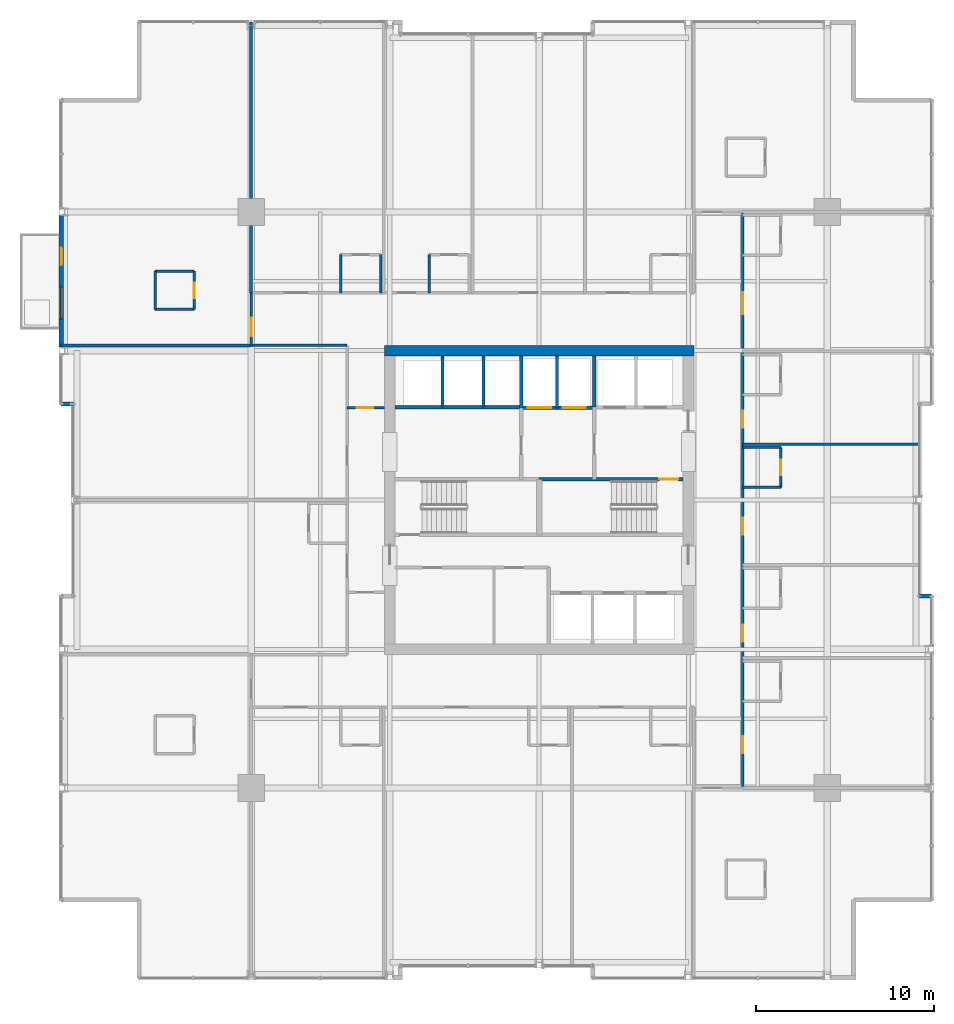
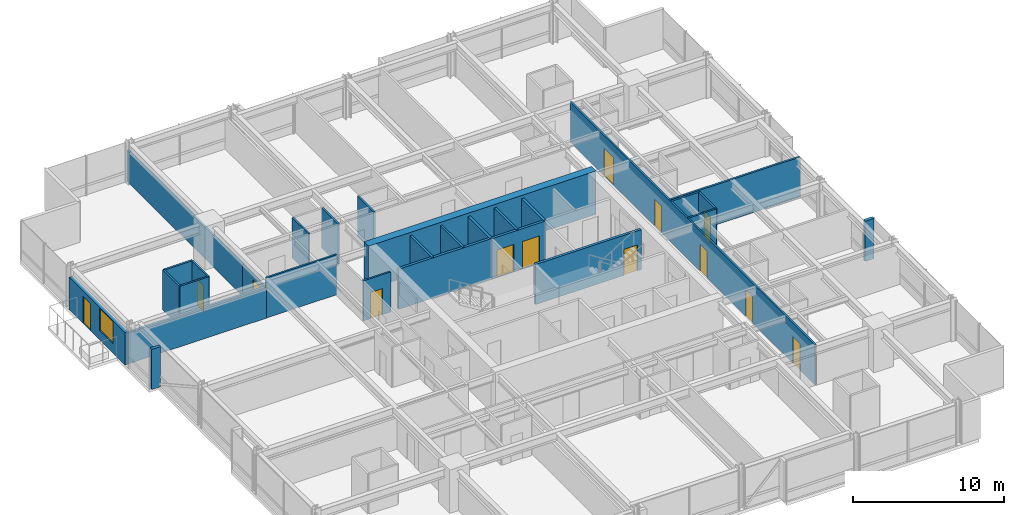
# One storey, part 30 of 35: 29 walls, 13 doors, 1 window, 14 openings.
"""IFC4 building model written with IfcOpenShell, lengths in metres."""

from ifc_helpers import new_model, si_unit, direction, frame, frame_2d, origin, place, context, subcontext, project, spatial, rectangle, extrude, material, layer, layer_set, type_object, element, fill, save


model = new_model("IFC4")

# Units and contexts
model_context = context("Model", 3, precision=1e-05, world=origin(), true_north=direction((0.0, 1.0)))
body_context = subcontext(model_context, "Body", "Model", "MODEL_VIEW")
ifc_project = project(units=[si_unit("LENGTHUNIT", "METRE"), si_unit("AREAUNIT", "SQUARE_METRE"), si_unit("VOLUMEUNIT", "CUBIC_METRE"), si_unit("PLANEANGLEUNIT", "RADIAN"), si_unit("MASSUNIT", "GRAM", prefix="KILO")], contexts=[model_context])

# Site, building, storey
site_placement = place(None, origin())
site = spatial("IfcSite", under=ifc_project, at=site_placement, CompositionType="ELEMENT")
building_placement = place(site_placement, origin())
building = spatial("IfcBuilding", under=site, at=building_placement, Name="Drelvath Grand Hotel", CompositionType="ELEMENT")
storey_placement = place(building_placement, frame((0.0, 0.0, 123.300048828125)))
storey = spatial("IfcBuildingStorey", under=building, at=storey_placement, Name="L31", CompositionType="ELEMENT", Elevation=123.300048828125)

# Wall
ifc_material_1 = material(Name="Concrete C40/50", Category="concrete")
ifc_layer_1 = layer(ifc_material_1, 0.199951171875)
ifc_layer_set_1 = layer_set([ifc_layer_1], Name="Concrete C40/50")
wall_type_1 = type_object("IfcWallType", Name="Core Hoistway Fire Wall 200", PredefinedType="SOLIDWALL", material=ifc_layer_set_1)
wall_1_placement = place(storey_placement, frame((3.10009765625, 32.219970703125, 0.0), z_axis=(0.0, 0.0, 1.0), x_axis=(0.0, 1.0, 0.0)))
element("IfcWall", 1, at=wall_1_placement, inside=storey, type_object=wall_type_1, Name="L31 FSAE Hoistway West Wall", PredefinedType="SOLIDWALL", context=body_context, shape_type="SweptSolid", body=[
    extrude(rectangle(XDim=2.880126953125, YDim=0.199951171875, at=frame_2d((1.43994140625, 0.0))), origin(), (0.0, 0.0, 1.0), 3.239990234375),
])

# Wall, openings, doors
wall_2_placement = place(storey_placement, frame((-1.0, 32.179931640625, 0.0), z_axis=(0.0, 0.0, 1.0), x_axis=(1.0, 0.0, 0.0)))
wall_2 = element("IfcWall", 2, at=wall_2_placement, inside=storey, type_object=wall_type_1, Name="L31 Service Lift Hoistway Wall", PredefinedType="SOLIDWALL", context=body_context, shape_type="SweptSolid", body=[
    extrude(rectangle(XDim=4.10009765625, YDim=0.199951171875, at=frame_2d((2.050048828125, 0.0))), origin(), (0.0, 0.0, 1.0), 3.239990234375),
])
opening_1_placement = place(wall_2_placement, frame((0.3701171875, 0.0, 0.0)))
opening_1 = element("IfcOpeningElement", 3, at=opening_1_placement, cuts=wall_2, Name="Opening LD-SV-2", PredefinedType="OPENING", context=body_context, shape_type="SweptSolid", body=[
    extrude(rectangle(XDim=1.300048828125, YDim=2.199951171875, at=frame_2d((0.64990234375, 1.10009765625))), frame((0.0, 0.10986328125, 0.0), z_axis=(0.0, -1.0, 0.0), x_axis=(1.0, 0.0, 0.0)), (0.0, 0.0, 1.0), 0.219970703125),
])
opening_2_placement = place(wall_2_placement, frame((2.330078125, 0.0, 0.0)))
opening_2 = element("IfcOpeningElement", 4, at=opening_2_placement, cuts=wall_2, Name="Opening LD-SV-1", PredefinedType="OPENING", context=body_context, shape_type="SweptSolid", body=[
    extrude(rectangle(XDim=1.300048828125, YDim=2.199951171875, at=frame_2d((0.64990234375, 1.10009765625))), frame((0.0, 0.10986328125, 0.0), z_axis=(0.0, -1.0, 0.0), x_axis=(1.0, 0.0, 0.0)), (0.0, 0.0, 1.0), 0.219970703125),
])
ifc_material_2 = material(Name="Stainless Steel S355", Category="steel")
door_type_1 = type_object("IfcDoorType", Name="Service Lift Sliding Landing Door 1300x2200", OperationType="NOTDEFINED", PredefinedType="DOOR", material=ifc_material_2)
door_1_placement = place(opening_1_placement, origin())
door_1 = element("IfcDoor", 5, at=door_1_placement, inside=storey, type_object=door_type_1, Name="L31 Lift SV-2 Landing Door", OperationType="SLIDING_TO_LEFT", OverallHeight=2.199951171875, OverallWidth=1.300048828125, PredefinedType="DOOR", context=body_context, shape_type="SweptSolid", body=[
    extrude(rectangle(XDim=1.300048828125, YDim=2.199951171875, at=frame_2d((0.64990234375, 1.10009765625))), frame((0.0, 0.02490234375, 0.0), z_axis=(0.0, -1.0, 0.0), x_axis=(1.0, 0.0, 0.0)), (0.0, 0.0, 1.0), 0.050048828125),
])
fill(opening_1, door_1)
door_2_placement = place(opening_2_placement, origin())
door_2 = element("IfcDoor", 6, at=door_2_placement, inside=storey, type_object=door_type_1, Name="L31 Lift SV-1 Landing Door", OperationType="SLIDING_TO_LEFT", OverallHeight=2.199951171875, OverallWidth=1.300048828125, PredefinedType="DOOR", context=body_context, shape_type="SweptSolid", body=[
    extrude(rectangle(XDim=1.300048828125, YDim=2.199951171875, at=frame_2d((0.64990234375, 1.10009765625))), frame((0.0, 0.02490234375, 0.0), z_axis=(0.0, -1.0, 0.0), x_axis=(1.0, 0.0, 0.0)), (0.0, 0.0, 1.0), 0.050048828125),
])
fill(opening_2, door_2)

# Walls
wall_3_placement = place(storey_placement, frame((-1.0, 32.179931640625, 0.0), z_axis=(0.0, 0.0, 1.0), x_axis=(0.0, 1.0, 0.0)))
element("IfcWall", 7, at=wall_3_placement, inside=storey, type_object=wall_type_1, Name="L31 Service Lift West Wall", PredefinedType="SOLIDWALL", context=body_context, shape_type="SweptSolid", body=[
    extrude(rectangle(XDim=2.920166015625, YDim=0.199951171875, at=frame_2d((1.4599609375, 0.0))), origin(), (0.0, 0.0, 1.0), 3.239990234375),
])
wall_4_placement = place(storey_placement, frame((-8.10009765625, 32.219970703125, 0.0), z_axis=(0.0, 0.0, 1.0), x_axis=(1.0, 0.0, 0.0)))
element("IfcWall", 8, at=wall_4_placement, inside=storey, type_object=wall_type_1, Name="L31 Bank 3 Hoistway Wall", PredefinedType="SOLIDWALL", context=body_context, shape_type="SweptSolid", body=[
    extrude(rectangle(XDim=7.10009765625, YDim=0.199951171875, at=frame_2d((3.550048828125, 0.0))), origin(), (0.0, 0.0, 1.0), 3.239990234375),
])

# Wall, opening, door
ifc_layer_2 = layer(ifc_material_1, 0.199951171875)
ifc_layer_set_2 = layer_set([ifc_layer_2], Name="Concrete C40/50")
wall_type_2 = type_object("IfcWallType", Name="Core Shaft Fire Wall 200", PredefinedType="SOLIDWALL", material=ifc_layer_set_2)
wall_5_placement = place(storey_placement, frame((8.10009765625, 28.159912109375, 0.0), z_axis=(0.0, 0.0, 1.0), x_axis=(-1.0, 0.0, 0.0)))
wall_5 = element("IfcWall", 9, at=wall_5_placement, inside=storey, type_object=wall_type_2, Name="L31 Stair ST-2 North Wall", PredefinedType="SOLIDWALL", context=body_context, shape_type="SweptSolid", body=[
    extrude(rectangle(XDim=8.10009765625, YDim=0.199951171875, at=frame_2d((4.050048828125, 0.0))), origin(), (0.0, 0.0, 1.0), 3.239990234375),
])
opening_3_placement = place(wall_5_placement, frame((0.280029296875, 0.0, 0.0)))
opening_3 = element("IfcOpeningElement", 10, at=opening_3_placement, cuts=wall_5, Name="Opening D-T2G4-002", PredefinedType="OPENING", context=body_context, shape_type="SweptSolid", body=[
    extrude(rectangle(XDim=1.050048828125, YDim=2.10009765625, at=frame_2d((0.52490234375, 1.050048828125))), frame((0.0, 0.10986328125, 0.0), z_axis=(0.0, -1.0, 0.0), x_axis=(1.0, 0.0, 0.0)), (0.0, 0.0, 1.0), 0.219970703125),
])
ifc_material_3 = material(Name="Painted Steel S275", Category="steel")
door_type_2 = type_object("IfcDoorType", Name="Tower Stairwell Fire Door 1050x2100", OperationType="NOTDEFINED", PredefinedType="DOOR", material=ifc_material_3)
door_3_placement = place(opening_3_placement, origin())
door_3 = element("IfcDoor", 11, at=door_3_placement, inside=storey, type_object=door_type_2, Name="L31 Exit Stair ST-2 Door", OperationType="SINGLE_SWING_LEFT", OverallHeight=2.10009765625, OverallWidth=1.050048828125, PredefinedType="DOOR", context=body_context, shape_type="SweptSolid", body=[
    extrude(rectangle(XDim=1.050048828125, YDim=2.10009765625, at=frame_2d((0.52490234375, 1.050048828125))), frame((0.0, 0.02490234375, 0.0), z_axis=(0.0, -1.0, 0.0), x_axis=(1.0, 0.0, 0.0)), (0.0, 0.0, 1.0), 0.050048828125),
])
fill(opening_3, door_3)

# Walls
ifc_material_4 = material(Name="Gypsum Fireboard Partition")
ifc_layer_3 = layer(ifc_material_4, 0.1650390625)
ifc_layer_set_3 = layer_set([ifc_layer_3], Name="Gypsum Fireboard Partition")
wall_type_3 = type_object("IfcWallType", Name="Core Shaft Partition 165", PredefinedType="PARTITIONING", material=ifc_layer_set_3)
wall_6_placement = place(storey_placement, frame((1.0, 32.179931640625, 0.0), z_axis=(0.0, 0.0, 1.0), x_axis=(0.0, 1.0, 0.0)))
element("IfcWall", 12, at=wall_6_placement, inside=storey, type_object=wall_type_3, Name="L31 Service Lift Divider", PredefinedType="PARTITIONING", context=body_context, shape_type="SweptSolid", body=[
    extrude(rectangle(XDim=2.920166015625, YDim=0.1650390625, at=frame_2d((1.4599609375, 0.0))), origin(), (0.0, 0.0, 1.0), 3.239990234375),
])
for number, where, z_axis, x_axis, name in (
    (13, (-5.43994140625, 32.219970703125, 0.0), (0.0, 0.0, 1.0), (0.0, 1.0, 0.0), "L31 Lift PE-7/8 Divider"),
    (14, (-3.1201171875, 32.219970703125, 0.0), (0.0, 0.0, 1.0), (0.0, 1.0, 0.0), "L31 Lift PE-8/9 Divider"),
):
    element("IfcWall", number, at=place(storey_placement, frame(where, z_axis=z_axis, x_axis=x_axis)), inside=storey, type_object=wall_type_3, Name=name, PredefinedType="PARTITIONING", context=body_context, shape_type="SweptSolid", body=[
        extrude(rectangle(XDim=2.880126953125, YDim=0.1650390625, at=frame_2d((1.43994140625, 0.0))), origin(), (0.0, 0.0, 1.0), 3.239990234375),
    ])

# Wall, opening, door
ifc_layer_4 = layer(ifc_material_4, 0.135009765625)
ifc_layer_set_4 = layer_set([ifc_layer_4], Name="Gypsum Fireboard Partition")
wall_type_4 = type_object("IfcWallType", Name="Corridor Fire Barrier Wall 135", PredefinedType="PARTITIONING", material=ifc_layer_set_4)
wall_7_placement = place(storey_placement, frame((-10.800048828125, 32.199951171875, 0.0), z_axis=(0.0, 0.0, 1.0), x_axis=(1.0, 0.0, 0.0)))
wall_7 = element("IfcWall", 15, at=wall_7_placement, inside=storey, type_object=wall_type_4, Name="L31 West Foyer North Wall", PredefinedType="PARTITIONING", context=body_context, shape_type="SweptSolid", body=[
    extrude(rectangle(XDim=2.10009765625, YDim=0.135009765625, at=frame_2d((1.050048828125, 0.0))), origin(), (0.0, 0.0, 1.0), 3.239990234375),
])
opening_4_placement = place(wall_7_placement, frame((0.550048828125, 0.0, 0.0)))
opening_4 = element("IfcOpeningElement", 16, at=opening_4_placement, cuts=wall_7, Name="Opening D-T2G4-018", PredefinedType="OPENING", context=body_context, shape_type="SweptSolid", body=[
    extrude(rectangle(XDim=0.919921875, YDim=2.10009765625, at=frame_2d((0.4599609375, 1.050048828125))), frame((0.0, 0.077392578125, 0.0), z_axis=(0.0, -1.0, 0.0), x_axis=(1.0, 0.0, 0.0)), (0.0, 0.0, 1.0), 0.155029296875),
])
door_type_3 = type_object("IfcDoorType", Name="Staff Utility Door 920x2100", OperationType="NOTDEFINED", PredefinedType="DOOR", material=ifc_material_3)
door_4_placement = place(opening_4_placement, origin())
door_4 = element("IfcDoor", 17, at=door_4_placement, inside=storey, type_object=door_type_3, Name="L31 West Pantry Door", OperationType="SINGLE_SWING_LEFT", OverallHeight=2.10009765625, OverallWidth=0.919921875, PredefinedType="DOOR", context=body_context, shape_type="SweptSolid", body=[
    extrude(rectangle(XDim=0.919921875, YDim=2.10009765625, at=frame_2d((0.4599609375, 1.050048828125))), frame((0.0, 0.02490234375, 0.0), z_axis=(0.0, -1.0, 0.0), x_axis=(1.0, 0.0, 0.0)), (0.0, 0.0, 1.0), 0.050048828125),
])
fill(opening_4, door_4)

# Wall
wall_8_placement = place(storey_placement, frame((-16.199951171875, 35.699951171875, 0.0), z_axis=(0.0, 0.0, 1.0), x_axis=(1.0, 0.0, 0.0)))
element("IfcWall", 18, at=wall_8_placement, inside=storey, type_object=wall_type_4, Name="L31 NW Stub South Wall", PredefinedType="PARTITIONING", context=body_context, shape_type="SweptSolid", body=[
    extrude(rectangle(XDim=5.39990234375, YDim=0.135009765625, at=frame_2d((2.699951171875, 0.0))), origin(), (0.0, 0.0, 1.0), 3.239990234375),
])

# Wall, openings, doors
wall_9_placement = place(storey_placement, frame((11.449951171875, 10.800048828125, 0.0), z_axis=(0.0, 0.0, 1.0), x_axis=(0.0, 1.0, 0.0)))
wall_9 = element("IfcWall", 19, at=wall_9_placement, inside=storey, type_object=wall_type_4, Name="L31 East Spine Corridor Wall", PredefinedType="PARTITIONING", context=body_context, shape_type="SweptSolid", body=[
    extrude(rectangle(XDim=32.39990234375, YDim=0.135009765625, at=frame_2d((16.199951171875, 0.0))), origin(), (0.0, 0.0, 1.0), 3.239990234375),
])
opening_5_placement = place(wall_9_placement, frame((1.963134765625, 0.0, 0.0)))
opening_5 = element("IfcOpeningElement", 20, at=opening_5_placement, cuts=wall_9, Name="Opening D-T2G4-041", PredefinedType="OPENING", context=body_context, shape_type="SweptSolid", body=[
    extrude(rectangle(XDim=0.9599609375, YDim=2.14990234375, at=frame_2d((0.47998046875, 1.074951171875))), frame((0.0, 0.077392578125, 0.0), z_axis=(0.0, -1.0, 0.0), x_axis=(1.0, 0.0, 0.0)), (0.0, 0.0, 1.0), 0.155029296875),
])
opening_6_placement = place(wall_9_placement, frame((8.23388671875, 0.0, 0.0)))
opening_6 = element("IfcOpeningElement", 21, at=opening_6_placement, cuts=wall_9, Name="Opening D-T2G4-043", PredefinedType="OPENING", context=body_context, shape_type="SweptSolid", body=[
    extrude(rectangle(XDim=0.9599609375, YDim=2.14990234375, at=frame_2d((0.47998046875, 1.074951171875))), frame((0.0, 0.077392578125, 0.0), z_axis=(0.0, -1.0, 0.0), x_axis=(1.0, 0.0, 0.0)), (0.0, 0.0, 1.0), 0.155029296875),
])
opening_7_placement = place(wall_9_placement, frame((14.24365234375, 0.0, 0.0)))
opening_7 = element("IfcOpeningElement", 22, at=opening_7_placement, cuts=wall_9, Name="Opening D-T2G4-045", PredefinedType="OPENING", context=body_context, shape_type="SweptSolid", body=[
    extrude(rectangle(XDim=0.9599609375, YDim=2.14990234375, at=frame_2d((0.47998046875, 1.074951171875))), frame((0.0, 0.077392578125, 0.0), z_axis=(0.0, -1.0, 0.0), x_axis=(1.0, 0.0, 0.0)), (0.0, 0.0, 1.0), 0.155029296875),
])
opening_8_placement = place(wall_9_placement, frame((20.25341796875, 0.0, 0.0)))
opening_8 = element("IfcOpeningElement", 23, at=opening_8_placement, cuts=wall_9, Name="Opening D-T2G4-047", PredefinedType="OPENING", context=body_context, shape_type="SweptSolid", body=[
    extrude(rectangle(XDim=0.9599609375, YDim=2.14990234375, at=frame_2d((0.47998046875, 1.074951171875))), frame((0.0, 0.077392578125, 0.0), z_axis=(0.0, -1.0, 0.0), x_axis=(1.0, 0.0, 0.0)), (0.0, 0.0, 1.0), 0.155029296875),
])
opening_9_placement = place(wall_9_placement, frame((26.6357421875, 0.0, 0.0)))
opening_9 = element("IfcOpeningElement", 24, at=opening_9_placement, cuts=wall_9, Name="Opening D-T2G4-049", PredefinedType="OPENING", context=body_context, shape_type="SweptSolid", body=[
    extrude(rectangle(XDim=1.260009765625, YDim=2.199951171875, at=frame_2d((0.6298828125, 1.10009765625))), frame((0.0, 0.077392578125, 0.0), z_axis=(0.0, -1.0, 0.0), x_axis=(1.0, 0.0, 0.0)), (0.0, 0.0, 1.0), 0.155029296875),
])
ifc_material_5 = material(Name="Hardwood Walnut Timber", Category="wood")
door_type_4 = type_object("IfcDoorType", Name="Guestroom Entrance Fire Door 960x2150", OperationType="NOTDEFINED", PredefinedType="DOOR", material=ifc_material_5)
door_5_placement = place(opening_5_placement, origin())
door_5 = element("IfcDoor", 25, at=door_5_placement, inside=storey, type_object=door_type_4, Name="L31 King Guest Room Entry Door", OperationType="SINGLE_SWING_RIGHT", OverallHeight=2.14990234375, OverallWidth=0.9599609375, PredefinedType="DOOR", context=body_context, shape_type="SweptSolid", body=[
    extrude(rectangle(XDim=0.9599609375, YDim=2.14990234375, at=frame_2d((0.47998046875, 1.074951171875))), frame((0.0, 0.02490234375, 0.0), z_axis=(0.0, -1.0, 0.0), x_axis=(1.0, 0.0, 0.0)), (0.0, 0.0, 1.0), 0.050048828125),
])
fill(opening_5, door_5)
door_6_placement = place(opening_6_placement, origin())
door_6 = element("IfcDoor", 26, at=door_6_placement, inside=storey, type_object=door_type_4, Name="L31 King Guest Room Entry Door", OperationType="SINGLE_SWING_RIGHT", OverallHeight=2.14990234375, OverallWidth=0.9599609375, PredefinedType="DOOR", context=body_context, shape_type="SweptSolid", body=[
    extrude(rectangle(XDim=0.9599609375, YDim=2.14990234375, at=frame_2d((0.47998046875, 1.074951171875))), frame((0.0, 0.02490234375, 0.0), z_axis=(0.0, -1.0, 0.0), x_axis=(1.0, 0.0, 0.0)), (0.0, 0.0, 1.0), 0.050048828125),
])
fill(opening_6, door_6)
door_7_placement = place(opening_7_placement, origin())
door_7 = element("IfcDoor", 27, at=door_7_placement, inside=storey, type_object=door_type_4, Name="L31 King Guest Room Entry Door", OperationType="SINGLE_SWING_RIGHT", OverallHeight=2.14990234375, OverallWidth=0.9599609375, PredefinedType="DOOR", context=body_context, shape_type="SweptSolid", body=[
    extrude(rectangle(XDim=0.9599609375, YDim=2.14990234375, at=frame_2d((0.47998046875, 1.074951171875))), frame((0.0, 0.02490234375, 0.0), z_axis=(0.0, -1.0, 0.0), x_axis=(1.0, 0.0, 0.0)), (0.0, 0.0, 1.0), 0.050048828125),
])
fill(opening_7, door_7)
door_8_placement = place(opening_8_placement, origin())
door_8 = element("IfcDoor", 28, at=door_8_placement, inside=storey, type_object=door_type_4, Name="L31 King Guest Room Entry Door", OperationType="SINGLE_SWING_RIGHT", OverallHeight=2.14990234375, OverallWidth=0.9599609375, PredefinedType="DOOR", context=body_context, shape_type="SweptSolid", body=[
    extrude(rectangle(XDim=0.9599609375, YDim=2.14990234375, at=frame_2d((0.47998046875, 1.074951171875))), frame((0.0, 0.02490234375, 0.0), z_axis=(0.0, -1.0, 0.0), x_axis=(1.0, 0.0, 0.0)), (0.0, 0.0, 1.0), 0.050048828125),
])
fill(opening_8, door_8)
door_type_5 = type_object("IfcDoorType", Name="Suite Entrance Fire Door 1260x2200", OperationType="NOTDEFINED", PredefinedType="DOOR", material=ifc_material_5)
door_9_placement = place(opening_9_placement, origin())
door_9 = element("IfcDoor", 29, at=door_9_placement, inside=storey, type_object=door_type_5, Name="L31 Corner Suite Entry Door", OperationType="SINGLE_SWING_RIGHT", OverallHeight=2.199951171875, OverallWidth=1.260009765625, PredefinedType="DOOR", context=body_context, shape_type="SweptSolid", body=[
    extrude(rectangle(XDim=1.260009765625, YDim=2.199951171875, at=frame_2d((0.6298828125, 1.10009765625))), frame((0.0, 0.02490234375, 0.0), z_axis=(0.0, -1.0, 0.0), x_axis=(1.0, 0.0, 0.0)), (0.0, 0.0, 1.0), 0.050048828125),
])
fill(opening_9, door_9)

# Wall, opening, door
wall_10_placement = place(storey_placement, frame((-16.199951171875, 35.699951171875, 0.0), z_axis=(0.0, 0.0, 1.0), x_axis=(0.0, 1.0, 0.0)))
wall_10 = element("IfcWall", 30, at=wall_10_placement, inside=storey, type_object=wall_type_4, Name="L31 North Stub West End", PredefinedType="PARTITIONING", context=body_context, shape_type="SweptSolid", body=[
    extrude(rectangle(XDim=2.949951171875, YDim=0.135009765625, at=frame_2d((1.47509765625, 0.0))), origin(), (0.0, 0.0, 1.0), 2.529541015625),
])
opening_10_placement = place(wall_10_placement, frame((0.52001953125, 0.0, 0.0)))
opening_10 = element("IfcOpeningElement", 31, at=opening_10_placement, cuts=wall_10, Name="Opening D-T2G4-022", PredefinedType="OPENING", context=body_context, shape_type="SweptSolid", body=[
    extrude(rectangle(XDim=1.02001953125, YDim=2.14990234375, at=frame_2d((0.510009765625, 1.074951171875))), frame((0.0, 0.077392578125, 0.0), z_axis=(0.0, -1.0, 0.0), x_axis=(1.0, 0.0, 0.0)), (0.0, 0.0, 1.0), 0.155029296875),
])
door_type_6 = type_object("IfcDoorType", Name="Amenity Meeting Fire Door 1020x2150", OperationType="NOTDEFINED", PredefinedType="DOOR", material=ifc_material_5)
door_10_placement = place(opening_10_placement, origin())
door_10 = element("IfcDoor", 32, at=door_10_placement, inside=storey, type_object=door_type_6, Name="L31 Corner Suite Entry Door", OperationType="SINGLE_SWING_LEFT", OverallHeight=2.14990234375, OverallWidth=1.02001953125, PredefinedType="DOOR", context=body_context, shape_type="SweptSolid", body=[
    extrude(rectangle(XDim=1.02001953125, YDim=2.14990234375, at=frame_2d((0.510009765625, 1.074951171875))), frame((0.0, 0.02490234375, 0.0), z_axis=(0.0, -1.0, 0.0), x_axis=(1.0, 0.0, 0.0)), (0.0, 0.0, 1.0), 0.050048828125),
])
fill(opening_10, door_10)

# Walls
ifc_material_6 = material(Name="Moisture-Resistant Gypsum Board")
ifc_layer_5 = layer(ifc_material_6, 0.139892578125)
ifc_layer_set_5 = layer_set([ifc_layer_5], Name="Moisture-Resistant Gypsum Board")
wall_type_5 = type_object("IfcWallType", Name="En-Suite Plumbing Wall 140", PredefinedType="PLUMBINGWALL", material=ifc_layer_set_5)
for number, where, z_axis, x_axis, name in (
    (33, (-21.60009765625, 37.719970703125, 0.0), (0.0, 0.0, 1.0), (1.0, 0.0, 0.0), "L31 Corner En-Suite South"),
    (34, (-21.60009765625, 39.8701171875, 0.0), (0.0, 0.0, 1.0), (1.0, 0.0, 0.0), "L31 Corner En-Suite North"),
):
    element("IfcWall", number, at=place(storey_placement, frame(where, z_axis=z_axis, x_axis=x_axis)), inside=storey, type_object=wall_type_5, Name=name, PredefinedType="PLUMBINGWALL", context=body_context, shape_type="SweptSolid", body=[
        extrude(rectangle(XDim=2.2001953125, YDim=0.139892578125, at=frame_2d((1.10009765625, 0.0))), origin(), (0.0, 0.0, 1.0), 3.239990234375),
    ])
wall_11_placement = place(storey_placement, frame((-21.60009765625, 37.719970703125, 0.0), z_axis=(0.0, 0.0, 1.0), x_axis=(0.0, 1.0, 0.0)))
element("IfcWall", 35, at=wall_11_placement, inside=storey, type_object=wall_type_5, Name="L31 Corner En-Suite West", PredefinedType="PLUMBINGWALL", context=body_context, shape_type="SweptSolid", body=[
    extrude(rectangle(XDim=2.150146484375, YDim=0.139892578125, at=frame_2d((1.0751953125, 0.0))), origin(), (0.0, 0.0, 1.0), 3.239990234375),
])

# Wall, opening, door
wall_12_placement = place(storey_placement, frame((-19.39990234375, 37.719970703125, 0.0), z_axis=(0.0, 0.0, 1.0), x_axis=(0.0, 1.0, 0.0)))
wall_12 = element("IfcWall", 36, at=wall_12_placement, inside=storey, type_object=wall_type_5, Name="L31 Corner En-Suite East", PredefinedType="PLUMBINGWALL", context=body_context, shape_type="SweptSolid", body=[
    extrude(rectangle(XDim=2.150146484375, YDim=0.139892578125, at=frame_2d((1.0751953125, 0.0))), origin(), (0.0, 0.0, 1.0), 3.239990234375),
])
opening_11_placement = place(wall_12_placement, frame((0.6201171875, 0.0, 0.0)))
opening_11 = element("IfcOpeningElement", 37, at=opening_11_placement, cuts=wall_12, Name="Opening D-T2G4-021", PredefinedType="OPENING", context=body_context, shape_type="SweptSolid", body=[
    extrude(rectangle(XDim=0.8798828125, YDim=2.10009765625, at=frame_2d((0.43994140625, 1.050048828125))), frame((0.0, 0.079833984375, 0.0), z_axis=(0.0, -1.0, 0.0), x_axis=(1.0, 0.0, 0.0)), (0.0, 0.0, 1.0), 0.159912109375),
])
door_type_7 = type_object("IfcDoorType", Name="En-Suite Bathroom Door 880x2100", OperationType="NOTDEFINED", PredefinedType="DOOR", material=ifc_material_5)
door_11_placement = place(opening_11_placement, origin())
door_11 = element("IfcDoor", 38, at=door_11_placement, inside=storey, type_object=door_type_7, Name="L31 Corner En-Suite Door", OperationType="SINGLE_SWING_RIGHT", OverallHeight=2.10009765625, OverallWidth=0.8798828125, PredefinedType="DOOR", context=body_context, shape_type="SweptSolid", body=[
    extrude(rectangle(XDim=0.8798828125, YDim=2.10009765625, at=frame_2d((0.43994140625, 1.050048828125))), frame((0.0, 0.02490234375, 0.0), z_axis=(0.0, -1.0, 0.0), x_axis=(1.0, 0.0, 0.0)), (0.0, 0.0, 1.0), 0.050048828125),
])
fill(opening_11, door_11)

# Walls
for number, where, z_axis, x_axis, name in (
    (39, (-11.159912109375, 38.64990234375, 0.0), (0.0, 0.0, 1.0), (0.0, 1.0, 0.0), "L31 En-Suite Left Wall"),
    (40, (-8.909912109375, 38.64990234375, 0.0), (0.0, 0.0, 1.0), (0.0, 1.0, 0.0), "L31 En-Suite Right Wall"),
    (41, (-6.179931640625, 38.64990234375, 0.0), (0.0, 0.0, 1.0), (0.0, 1.0, 0.0), "L31 En-Suite Left Wall"),
    (42, (11.449951171875, 27.70556640625, 0.0), (0.0, 0.0, 1.0), (1.0, 0.0, 0.0), "L31 En-Suite Left Wall"),
    (43, (11.449951171875, 29.95556640625, 0.0), (0.0, 0.0, 1.0), (1.0, 0.0, 0.0), "L31 En-Suite Right Wall"),
):
    element("IfcWall", number, at=place(storey_placement, frame(where, z_axis=z_axis, x_axis=x_axis)), inside=storey, type_object=wall_type_5, Name=name, PredefinedType="PLUMBINGWALL", context=body_context, shape_type="SweptSolid", body=[
        extrude(rectangle(XDim=2.150146484375, YDim=0.139892578125, at=frame_2d((1.0751953125, 0.0))), origin(), (0.0, 0.0, 1.0), 3.239990234375),
    ])

# Wall, opening, door
wall_13_placement = place(storey_placement, frame((13.60009765625, 27.70556640625, 0.0), z_axis=(0.0, 0.0, 1.0), x_axis=(0.0, 1.0, 0.0)))
wall_13 = element("IfcWall", 44, at=wall_13_placement, inside=storey, type_object=wall_type_5, Name="L31 En-Suite Front Wall", PredefinedType="PLUMBINGWALL", context=body_context, shape_type="SweptSolid", body=[
    extrude(rectangle(XDim=2.25, YDim=0.139892578125, at=frame_2d((1.125, 0.0))), origin(), (0.0, 0.0, 1.0), 3.239990234375),
])
opening_12_placement = place(wall_13_placement, frame((0.68505859375, 0.0, 0.0)))
opening_12 = element("IfcOpeningElement", 45, at=opening_12_placement, cuts=wall_13, Name="Opening D-T2G4-044", PredefinedType="OPENING", context=body_context, shape_type="SweptSolid", body=[
    extrude(rectangle(XDim=0.8798828125, YDim=2.10009765625, at=frame_2d((0.43994140625, 1.050048828125))), frame((0.0, 0.079833984375, 0.0), z_axis=(0.0, -1.0, 0.0), x_axis=(1.0, 0.0, 0.0)), (0.0, 0.0, 1.0), 0.159912109375),
])
door_12_placement = place(opening_12_placement, origin())
door_12 = element("IfcDoor", 46, at=door_12_placement, inside=storey, type_object=door_type_7, Name="L31 En-Suite Bathroom Door", OperationType="SINGLE_SWING_LEFT", OverallHeight=2.10009765625, OverallWidth=0.8798828125, PredefinedType="DOOR", context=body_context, shape_type="SweptSolid", body=[
    extrude(rectangle(XDim=0.8798828125, YDim=2.10009765625, at=frame_2d((0.43994140625, 1.050048828125))), frame((0.0, 0.02490234375, 0.0), z_axis=(0.0, -1.0, 0.0), x_axis=(1.0, 0.0, 0.0)), (0.0, 0.0, 1.0), 0.050048828125),
])
fill(opening_12, door_12)

# Walls
ifc_material_7 = material(Name="Gypsum Acoustic Partition")
ifc_layer_6 = layer(ifc_material_7, 0.14990234375)
ifc_layer_set_6 = layer_set([ifc_layer_6], Name="Gypsum Acoustic Partition")
wall_type_6 = type_object("IfcWallType", Name="Guestroom Demising Wall 150", PredefinedType="PARTITIONING", material=ifc_layer_set_6)
wall_14_placement = place(storey_placement, frame((11.449951171875, 30.135498046875, 0.0), z_axis=(0.0, 0.0, 1.0), x_axis=(1.0, 0.0, 0.0)))
element("IfcWall", 47, at=wall_14_placement, inside=storey, type_object=wall_type_6, Name="L31 East Demising 3", PredefinedType="PARTITIONING", context=body_context, shape_type="SweptSolid", body=[
    extrude(rectangle(XDim=9.949951171875, YDim=0.14990234375, at=frame_2d((4.97509765625, 0.0))), origin(), (0.0, 0.0, 1.0), 3.239990234375),
])
ifc_material_8 = material(Name="Concrete f'c 70 MPa", Category="concrete")
ifc_layer_7 = layer(ifc_material_8, 0.60009765625)
ifc_layer_set_7 = layer_set([ifc_layer_7], Name="Concrete f'c 70 MPa")
wall_type_7 = type_object("IfcWallType", Name="Lower Core RC Shear Wall 600", PredefinedType="SHEAR", material=ifc_layer_set_7)
wall_15_placement = place(storey_placement, frame((-8.699951171875, 35.39990234375, 0.0), z_axis=(0.0, 0.0, 1.0), x_axis=(1.0, 0.0, 0.0)))
element("IfcWall", 48, at=wall_15_placement, inside=storey, type_object=wall_type_7, Name="L31 Central Core Shear Wall N", PredefinedType="SHEAR", context=body_context, shape_type="SweptSolid", body=[
    extrude(rectangle(XDim=17.39990234375, YDim=0.60009765625, at=frame_2d((8.699951171875, 0.0))), origin(), (0.0, 0.0, 1.0), 3.5),
])
ifc_layer_8 = layer(ifc_material_7, 0.1650390625)
ifc_layer_set_8 = layer_set([ifc_layer_8], Name="Gypsum Acoustic Partition")
wall_type_8 = type_object("IfcWallType", Name="Suite Demising Wall 165", PredefinedType="PARTITIONING", material=ifc_layer_set_8)
wall_16_placement = place(storey_placement, frame((-16.199951171875, 38.64990234375, 0.0), z_axis=(0.0, 0.0, 1.0), x_axis=(0.0, 1.0, 0.0)))
element("IfcWall", 49, at=wall_16_placement, inside=storey, type_object=wall_type_8, Name="L31 NW Suite East Wall", PredefinedType="PARTITIONING", context=body_context, shape_type="SweptSolid", body=[
    extrude(rectangle(XDim=15.22998046875, YDim=0.1650390625, at=frame_2d((7.614990234375, 0.0))), origin(), (0.0, 0.0, 1.0), 2.529541015625),
])
wall_17_placement = place(storey_placement, frame((-26.8798828125, 35.699951171875, 0.0), z_axis=(0.0, 0.0, 1.0), x_axis=(1.0, 0.0, 0.0)))
element("IfcWall", 50, at=wall_17_placement, inside=storey, type_object=wall_type_8, Name="L31 NW Suite South Wall", PredefinedType="PARTITIONING", context=body_context, shape_type="SweptSolid", body=[
    extrude(rectangle(XDim=10.679931640625, YDim=0.1650390625, at=frame_2d((5.33984375, 0.0))), origin(), (0.0, 0.0, 1.0), 2.529541015625),
])

# Wall, openings, window, door
ifc_material_9 = material(Name="Pale-Metal Insulated Aluminium Spandrel Assembly", Category="aluminium")
ifc_layer_9 = layer(ifc_material_9, 0.239990234375)
ifc_layer_set_9 = layer_set([ifc_layer_9], Name="Pale-Metal Insulated Aluminium Spandrel Assembly")
wall_type_9 = type_object("IfcWallType", Name="Tower Insulated Metal Spandrel Closure Wall 240", PredefinedType="STANDARD", material=ifc_layer_set_9)
wall_18_placement = place(storey_placement, frame((-26.8798828125, 35.609375, 0.0), z_axis=(0.0, 0.0, 1.0), x_axis=(0.0, 1.0, 0.0)))
wall_18 = element("IfcWall", 51, at=wall_18_placement, inside=storey, type_object=wall_type_9, Name="L31 Exterior Terrace Door Bay Wall WN2", PredefinedType="STANDARD", context=body_context, shape_type="SweptSolid", body=[
    extrude(rectangle(XDim=7.381103515625, YDim=0.239990234375, at=frame_2d((3.6904296875, 0.0))), origin(), (0.0, 0.0, 1.0), 2.62890625),
])
opening_13_placement = place(wall_18_placement, frame((4.590576171875, 0.0, 0.0)))
opening_13 = element("IfcOpeningElement", 52, at=opening_13_placement, cuts=wall_18, Name="Opening TD-1000", PredefinedType="OPENING", context=body_context, shape_type="SweptSolid", body=[
    extrude(rectangle(XDim=1.0, YDim=2.199951171875, at=frame_2d((0.5, 1.10009765625))), frame((0.0, 0.1298828125, 0.0), z_axis=(0.0, -1.0, 0.0), x_axis=(1.0, 0.0, 0.0)), (0.0, 0.0, 1.0), 0.260009765625),
])
opening_14_placement = place(wall_18_placement, frame((1.56982421875, 0.0, 0.75)))
opening_14 = element("IfcOpeningElement", 53, at=opening_14_placement, cuts=wall_18, Name="Opening W-02", PredefinedType="OPENING", context=body_context, shape_type="SweptSolid", body=[
    extrude(rectangle(XDim=1.800048828125, YDim=1.779052734375, at=frame_2d((0.89990234375, 0.8896484375))), frame((0.0, 0.1298828125, 0.0), z_axis=(0.0, -1.0, 0.0), x_axis=(1.0, 0.0, 0.0)), (0.0, 0.0, 1.0), 0.260009765625),
])
ifc_material_10 = material(Name="Bronze Anodised Low-E Triple Glazing", Category="glass")
window_type = type_object("IfcWindowType", Name="Chicago Double-Pane Podium Window 1800x2400", PartitioningType="DOUBLE_PANEL_VERTICAL", PredefinedType="WINDOW", material=ifc_material_10)
window_placement = place(opening_14_placement, origin())
window = element("IfcWindow", 54, at=window_placement, inside=storey, type_object=window_type, Name="L31 Terrace Bay Companion Window WN2", OverallHeight=1.779052734375, OverallWidth=1.800048828125, PartitioningType="SINGLE_PANEL", PredefinedType="WINDOW", context=body_context, shape_type="SweptSolid", body=[
    extrude(rectangle(XDim=1.800048828125, YDim=1.779052734375, at=frame_2d((0.89990234375, 0.8896484375))), frame((0.0, 0.030029296875, 0.0), z_axis=(0.0, -1.0, 0.0), x_axis=(1.0, 0.0, 0.0)), (0.0, 0.0, 1.0), 0.06005859375),
])
fill(opening_14, window)
ifc_material_11 = material(Name="Anodised Aluminium Thermally Broken Glazed Door", Category="aluminium")
door_type_8 = type_object("IfcDoorType", Name="Terrace and Tree Balcony Glazed Door 1000x2200", OperationType="NOTDEFINED", PredefinedType="DOOR", material=ifc_material_11)
door_13_placement = place(opening_13_placement, origin())
door_13 = element("IfcDoor", 55, at=door_13_placement, inside=storey, type_object=door_type_8, Name="L31 Tree Balcony Door DOOR-L31-TBAL-1", OperationType="SINGLE_SWING_LEFT", OverallHeight=2.199951171875, OverallWidth=1.0, PredefinedType="DOOR", context=body_context, shape_type="SweptSolid", body=[
    extrude(rectangle(XDim=1.0, YDim=2.199951171875, at=frame_2d((0.5, 1.10009765625))), frame((0.0, 0.02490234375, 0.0), z_axis=(0.0, -1.0, 0.0), x_axis=(1.0, 0.0, 0.0)), (0.0, 0.0, 1.0), 0.050048828125),
])
fill(opening_13, door_13)

# Walls
wall_19_placement = place(storey_placement, frame((-26.199951171875, 32.39990234375, 0.0), z_axis=(0.0, 0.0, 1.0), x_axis=(-1.0, 0.0, 0.0)))
element("IfcWall", 56, at=wall_19_placement, inside=storey, type_object=wall_type_9, Name="L31 Notched Corner Return Spandrel Wall RW2", PredefinedType="STANDARD", context=body_context, shape_type="SweptSolid", body=[
    extrude(rectangle(XDim=0.679931640625, YDim=0.239990234375, at=frame_2d((0.33984375, 0.0))), origin(), (0.0, 0.0, 1.0), 3.239990234375),
])
wall_20_placement = place(storey_placement, frame((21.39990234375, 21.60009765625, 0.0), z_axis=(0.0, 0.0, 1.0), x_axis=(1.0, 0.0, 0.0)))
element("IfcWall", 57, at=wall_20_placement, inside=storey, type_object=wall_type_9, Name="L31 Notched Corner Return Spandrel Wall RE2", PredefinedType="STANDARD", context=body_context, shape_type="SweptSolid", body=[
    extrude(rectangle(XDim=0.68017578125, YDim=0.239990234375, at=frame_2d((0.340087890625, 0.0))), origin(), (0.0, 0.0, 1.0), 3.239990234375),
])

save(model, "model.ifc")
